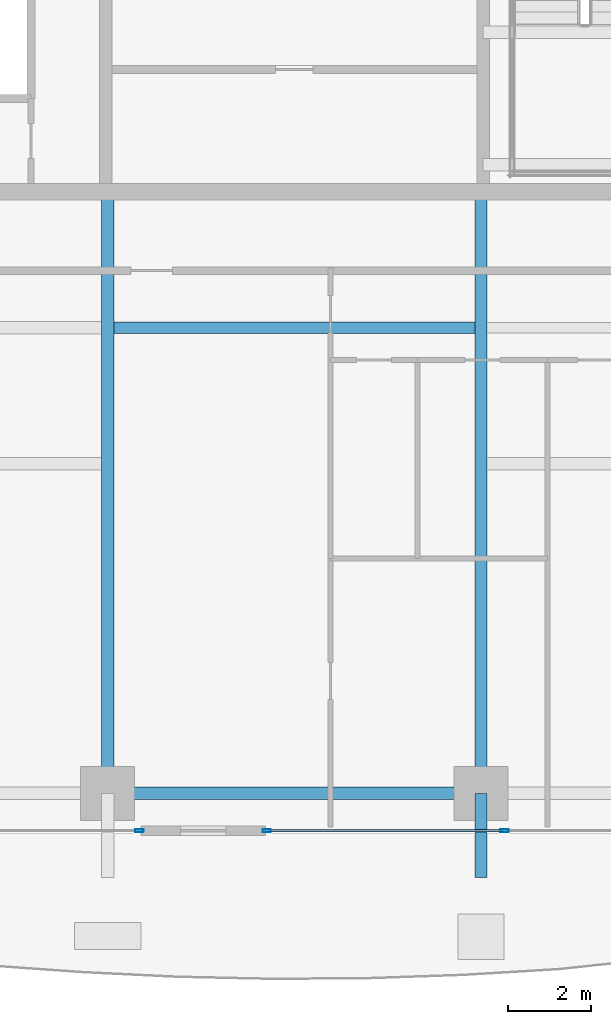
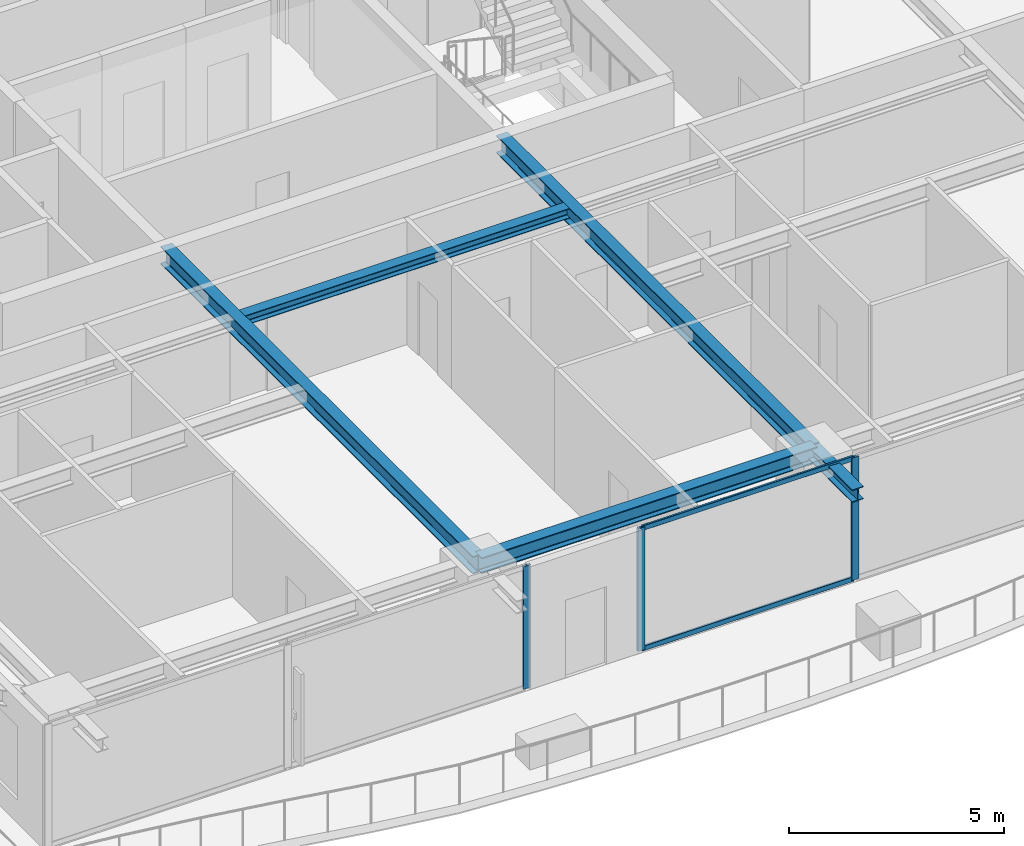
# One storey, part 5 of 36: 5 beams, 5 members, 2 elements without a shape of their own.
"""IFC4 building model written with IfcOpenShell, lengths in metres."""

from ifc_helpers import new_model, si_unit, direction, frame, origin, origin_2d, place, context, subcontext, project, spatial, hollow_rectangle, i_section, extrude, source, transform, mapped, material, layer, layer_set, material_profile, profile_set, type_object, element, aggregate, save


model = new_model("IFC4")

# Units and contexts
model_context = context("Model", 3, precision=1e-05, world=origin(), true_north=direction((0.0, 1.0)))
body_context = subcontext(model_context, "Body", "Model", "MODEL_VIEW")
ifc_project = project(units=[si_unit("LENGTHUNIT", "METRE"), si_unit("AREAUNIT", "SQUARE_METRE"), si_unit("VOLUMEUNIT", "CUBIC_METRE"), si_unit("PLANEANGLEUNIT", "RADIAN"), si_unit("MASSUNIT", "GRAM", prefix="KILO")], contexts=[model_context])

# Site, building, storey
site_placement = place(None, origin())
site = spatial("IfcSite", under=ifc_project, at=site_placement, CompositionType="ELEMENT")
building_placement = place(site_placement, origin())
building = spatial("IfcBuilding", under=site, at=building_placement, Name="Serunith Strait Residences", CompositionType="ELEMENT")
storey_placement = place(building_placement, frame((0.0, 0.0, 146.39990234375)))
storey = spatial("IfcBuildingStorey", under=building, at=storey_placement, Name="L36", CompositionType="ELEMENT", Elevation=146.39990234375)

# Beams
ifc_material_1 = material(Name="Steel S355J2", Category="steel")
ifc_material_profile_1 = material_profile(ifc_material_1, i_section(OverallWidth=0.280029296875, OverallDepth=0.280029296875, WebThickness=0.010498046875, FlangeThickness=0.01806640625, FilletRadius=0.02392578125, at=origin_2d()), Name="HEB 280")
ifc_profile_set_1 = profile_set([ifc_material_profile_1], Name="Steel S355J2")
beam_type_1 = type_object("IfcBeamType", Name="BM-HEB280", PredefinedType="JOIST", material=ifc_profile_set_1)
shared_shape_1 = source(origin(), body_context, "Body", "SweptSolid", [
    extrude(i_section(OverallWidth=0.280029296875, OverallDepth=0.280029296875, WebThickness=0.010498046875, FlangeThickness=0.01806640625, FilletRadius=0.02392578125, at=origin_2d()), origin(), (0.0, 0.0, 1.0), 8.699951171875),
])
beam_1_placement = place(storey_placement, frame((28.050048828125, 13.52490234375, 3.34716796875), z_axis=(1.0, 0.0, 0.0), x_axis=(0.0, 1.0, 0.0)))
element("IfcBeam", 1, at=beam_1_placement, inside=storey, type_object=beam_type_1, Name="L36 Composite Floor Joist 02", PredefinedType="JOIST", context=body_context, shape_type="MappedRepresentation", body=[
    mapped(shared_shape_1, transform((0.0, 0.0, 0.0), scale=1.0)),
])
ifc_material_profile_2 = material_profile(ifc_material_1, i_section(OverallWidth=0.300048828125, OverallDepth=0.449951171875, WebThickness=0.013916015625, FlangeThickness=0.02587890625, FilletRadius=0.027099609375, at=origin_2d()), Name="HEB 450")
ifc_profile_set_2 = profile_set([ifc_material_profile_2], Name="Steel S355J2")
beam_type_2 = type_object("IfcBeamType", Name="BM-HEB450", PredefinedType="BEAM", material=ifc_profile_set_2)
shared_shape_2 = source(origin(), body_context, "Body", "SweptSolid", [
    extrude(i_section(OverallWidth=0.300048828125, OverallDepth=0.449951171875, WebThickness=0.013916015625, FlangeThickness=0.02587890625, FilletRadius=0.027099609375, at=origin_2d()), origin(), (0.0, 0.0, 1.0), 9.0),
])
beam_2_placement = place(storey_placement, frame((27.89990234375, 2.300048828125, 3.26220703125), z_axis=(1.0, 0.0, 0.0), x_axis=(0.0, 1.0, 0.0)))
element("IfcBeam", 2, at=beam_2_placement, inside=storey, type_object=beam_type_2, Name="L36 Perimeter Ring Beam 02", PredefinedType="BEAM", context=body_context, shape_type="MappedRepresentation", body=[
    mapped(shared_shape_2, transform((0.0, 0.0, 0.0), scale=1.0)),
])
ifc_material_profile_3 = material_profile(ifc_material_1, i_section(OverallWidth=0.300048828125, OverallDepth=0.5, WebThickness=0.014404296875, FlangeThickness=0.028076171875, FilletRadius=0.027099609375, at=origin_2d()), Name="HEB 500")
ifc_profile_set_3 = profile_set([ifc_material_profile_3], Name="Steel S355J2")
beam_type_3 = type_object("IfcBeamType", Name="BM-HEB500", PredefinedType="BEAM", material=ifc_profile_set_3)
shared_shape_3 = source(origin(), body_context, "Body", "SweptSolid", [
    extrude(i_section(OverallWidth=0.300048828125, OverallDepth=0.5, WebThickness=0.014404296875, FlangeThickness=0.028076171875, FilletRadius=0.027099609375, at=origin_2d()), origin(), (0.0, 0.0, 1.0), 14.5),
])
for number, where, z_axis, x_axis, name in (
    (3, (27.89990234375, 16.800048828125, 3.237060546875), (0.0, -1.0, 0.0), (1.0, 0.0, 0.0), "L36 Primary Floor Girder TC-S2"),
    (4, (36.89990234375, 16.800048828125, 3.237060546875), (0.0, -1.0, 0.0), (1.0, 0.0, 0.0), "L36 Primary Floor Girder TC-S3"),
):
    element("IfcBeam", number, at=place(storey_placement, frame(where, z_axis=z_axis, x_axis=x_axis)), inside=storey, type_object=beam_type_3, Name=name, PredefinedType="BEAM", context=body_context, shape_type="MappedRepresentation", body=[
        mapped(shared_shape_3, transform((0.0, 0.0, 0.0), scale=1.0)),
    ])
ifc_material_profile_4 = material_profile(ifc_material_1, i_section(OverallWidth=0.300048828125, OverallDepth=0.360107421875, WebThickness=0.012451171875, FlangeThickness=0.0224609375, FilletRadius=0.027099609375, at=origin_2d()), Name="HEB 360")
ifc_profile_set_4 = profile_set([ifc_material_profile_4], Name="Steel S355J2")
beam_type_4 = type_object("IfcBeamType", Name="BM-HEB360", PredefinedType="BEAM", material=ifc_profile_set_4)
shared_shape_4 = source(origin(), body_context, "Body", "SweptSolid", [
    extrude(i_section(OverallWidth=0.300048828125, OverallDepth=0.360107421875, WebThickness=0.012451171875, FlangeThickness=0.0224609375, FilletRadius=0.027099609375, at=origin_2d()), origin(), (0.0, 0.0, 1.0), 2.030029296875),
])
beam_3_placement = place(storey_placement, frame((36.89990234375, 2.300048828125, 3.277099609375), z_axis=(0.0, -1.0, 0.0), x_axis=(1.0, 0.0, 0.0)))
element("IfcBeam", 5, at=beam_3_placement, inside=storey, type_object=beam_type_4, Name="L37 Cantilevered Balcony Rib TC-S3", PredefinedType="BEAM", context=body_context, shape_type="MappedRepresentation", body=[
    mapped(shared_shape_4, transform((0.0, 0.0, 0.0), scale=1.0)),
])

# Curtain wall, member
ifc_material_2 = material(Name="Pale-Champagne Anodised Aluminium", Category="aluminium")
ifc_layer = layer(ifc_material_2, 0.199951171875, Name="Pale-Champagne Anodised Aluminium")
ifc_layer_set = layer_set([ifc_layer], Name="Pale-Champagne Anodised Aluminium")
curtain_wall_type = type_object("IfcCurtainWallType", Name="CW-SYS2", PredefinedType="NOTDEFINED", material=ifc_layer_set)
curtain_wall_1_placement = place(storey_placement, origin())
curtain_wall_1 = element("IfcCurtainWall", 6, at=curtain_wall_1_placement, inside=storey, type_object=curtain_wall_type, Name="L36 S Unitised Fritted Curtain Wall", PredefinedType="NOTDEFINED")
ifc_material_profile_5 = material_profile(ifc_material_2, hollow_rectangle(XDim=0.070068359375, YDim=0.199951171875, WallThickness=0.00390625, InnerFilletRadius=0.006103515625, OuterFilletRadius=0.010009765625, at=origin_2d()), Name="ALU 200x70x4")
ifc_profile_set_5 = profile_set([ifc_material_profile_5], Name="Pale-Champagne Anodised Aluminium")
member_type_1 = type_object("IfcMemberType", Name="CW-SYS2-MULL", PredefinedType="MULLION", material=ifc_profile_set_5)
shared_shape_5 = source(origin(), body_context, "Body", "SweptSolid", [
    extrude(hollow_rectangle(XDim=0.070068359375, YDim=0.199951171875, WallThickness=0.00390625, InnerFilletRadius=0.006103515625, OuterFilletRadius=0.010009765625, at=origin_2d()), origin(), (0.0, 0.0, 1.0), 3.47509765625),
])
member_1_placement = place(storey_placement, frame((28.6650390625, 1.39990234375, 0.0), z_axis=(0.0, 0.0, 1.0), x_axis=(0.0, 1.0, 0.0)))
member_1 = element("IfcMember", 7, at=member_1_placement, type_object=member_type_1, Name="CW-2 mullion 3", PredefinedType="MULLION", context=body_context, shape_type="MappedRepresentation", body=[
    mapped(shared_shape_5, transform((0.0, 0.0, 0.0), scale=1.0)),
])
aggregate(curtain_wall_1, [member_1])

# Curtain wall, members
curtain_wall_2_placement = place(storey_placement, origin())
curtain_wall_2 = element("IfcCurtainWall", 8, at=curtain_wall_2_placement, inside=storey, type_object=curtain_wall_type, Name="L36 S Unitised Fritted Curtain Wall", PredefinedType="NOTDEFINED")
member_2_placement = place(storey_placement, frame((31.735107421875, 1.39990234375, 0.0), z_axis=(0.0, 0.0, 1.0), x_axis=(0.0, 1.0, 0.0)))
member_2 = element("IfcMember", 9, at=member_2_placement, type_object=member_type_1, Name="CW-2 mullion 1", PredefinedType="MULLION", context=body_context, shape_type="MappedRepresentation", body=[
    mapped(shared_shape_5, transform((0.0, 0.0, 0.0), scale=1.0)),
])
member_3_placement = place(storey_placement, frame((37.466552734375, 1.39990234375, 0.0), z_axis=(0.0, 0.0, 1.0), x_axis=(0.0, 1.0, 0.0)))
member_3 = element("IfcMember", 10, at=member_3_placement, type_object=member_type_1, Name="CW-2 mullion 2", PredefinedType="MULLION", context=body_context, shape_type="MappedRepresentation", body=[
    mapped(shared_shape_5, transform((0.0, 0.0, 0.0), scale=1.0)),
])
ifc_material_profile_6 = material_profile(ifc_material_2, hollow_rectangle(XDim=0.06005859375, YDim=0.139892578125, WallThickness=0.00341796875, InnerFilletRadius=0.00537109375, OuterFilletRadius=0.0087890625, at=origin_2d()), Name="ALU 140x60x3.5")
ifc_profile_set_6 = profile_set([ifc_material_profile_6], Name="Pale-Champagne Anodised Aluminium")
member_type_2 = type_object("IfcMemberType", Name="CW-SYS2-TRAN", PredefinedType="USERDEFINED", material=ifc_profile_set_6)
shared_shape_6 = source(origin(), body_context, "Body", "SweptSolid", [
    extrude(hollow_rectangle(XDim=0.06005859375, YDim=0.139892578125, WallThickness=0.00341796875, InnerFilletRadius=0.00537109375, OuterFilletRadius=0.0087890625, at=origin_2d()), origin(), (0.0, 0.0, 1.0), 5.66162109375),
])
member_4_placement = place(storey_placement, frame((31.77001953125, 1.39990234375, 0.030029296875), z_axis=(1.0, 0.0, 0.0), x_axis=(0.0, 1.0, 0.0)))
member_4 = element("IfcMember", 11, at=member_4_placement, type_object=member_type_2, Name="CW-2 transom 1.1", ObjectType="TRANSOM", PredefinedType="USERDEFINED", context=body_context, shape_type="MappedRepresentation", body=[
    mapped(shared_shape_6, transform((0.0, 0.0, 0.0), scale=1.0)),
])
member_5_placement = place(storey_placement, frame((31.77001953125, 1.39990234375, 3.445068359375), z_axis=(1.0, 0.0, 0.0), x_axis=(0.0, 1.0, 0.0)))
member_5 = element("IfcMember", 12, at=member_5_placement, type_object=member_type_2, Name="CW-2 transom 1.2", ObjectType="TRANSOM", PredefinedType="USERDEFINED", context=body_context, shape_type="MappedRepresentation", body=[
    mapped(shared_shape_6, transform((0.0, 0.0, 0.0), scale=1.0)),
])
aggregate(curtain_wall_2, [member_2, member_3, member_4, member_5])

save(model, "model.ifc")
